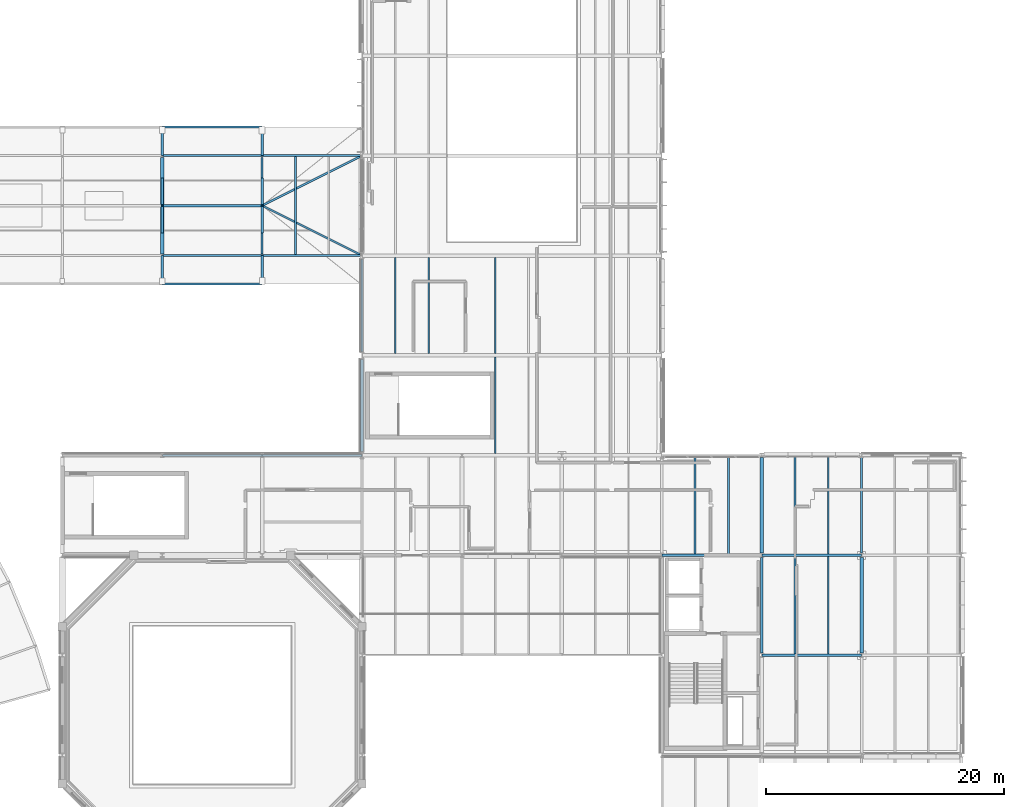
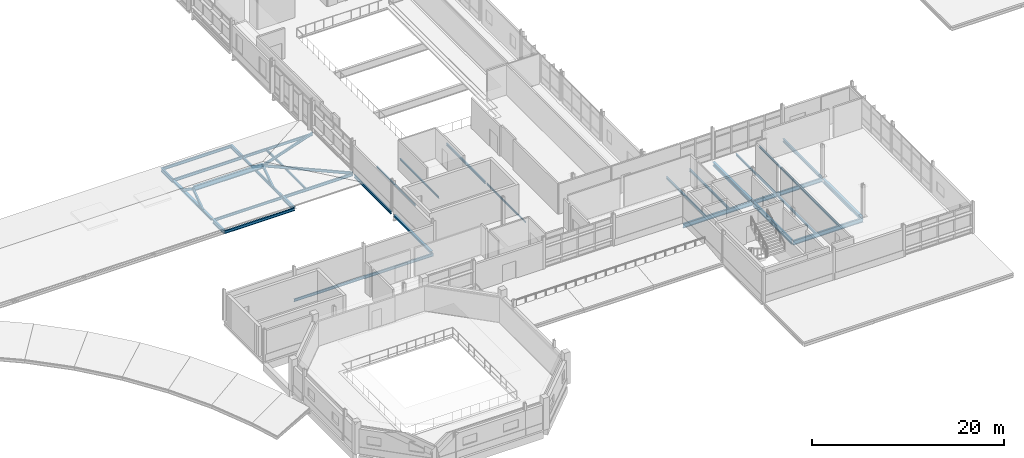
# One storey, part 24 of 151: 35 beams, 6 members.
"""IFC4 building model written with IfcOpenShell, lengths in metres."""

from ifc_helpers import new_model, si_unit, direction, frame, origin, origin_2d, place, context, subcontext, project, spatial, hollow_rectangle, i_section, extrude, material, material_profile, profile_set, type_object, element, save


model = new_model("IFC4")

# Units and contexts
model_context = context("Model", 3, precision=1e-05, world=origin(), true_north=direction((0.0, 1.0)))
body_context = subcontext(model_context, "Body", "Model", "MODEL_VIEW")
ifc_project = project(units=[si_unit("LENGTHUNIT", "METRE"), si_unit("AREAUNIT", "SQUARE_METRE"), si_unit("VOLUMEUNIT", "CUBIC_METRE"), si_unit("PLANEANGLEUNIT", "RADIAN"), si_unit("MASSUNIT", "GRAM", prefix="KILO")], contexts=[model_context])

# Site, building, storey
site_placement = place(None, origin())
site = spatial("IfcSite", under=ifc_project, at=site_placement, CompositionType="ELEMENT")
building_placement = place(site_placement, origin())
building = spatial("IfcBuilding", under=site, at=building_placement, Name="Mersafa Astral City Hall", CompositionType="ELEMENT")
storey_placement = place(building_placement, frame((0.0, 0.0, 9.89990234375)))
storey = spatial("IfcBuildingStorey", under=building, at=storey_placement, Name="L02", CompositionType="ELEMENT", Elevation=9.89990234375)

# Beams
ifc_material = material(Name="Steel S355", Category="steel")
ifc_material_profile_1 = material_profile(ifc_material, i_section(OverallWidth=0.300048828125, OverallDepth=0.489990234375, WebThickness=0.011962890625, FlangeThickness=0.02294921875, FilletRadius=0.027099609375, at=origin_2d()), Name="HEA 500")
ifc_profile_set_1 = profile_set([ifc_material_profile_1], Name="Steel S355")
beam_type_1 = type_object("IfcBeamType", Name="STR-BM-HEA500", PredefinedType="BEAM", material=ifc_profile_set_1)
beam_1_placement = place(storey_placement, frame((126.0, 25.39501953125, -0.44482421875), z_axis=(0.0, 1.0, 0.0), x_axis=(-1.0, 0.0, 0.0)))
element("IfcBeam", 1, at=beam_1_placement, inside=storey, type_object=beam_type_1, Name="L02 Primary girder Y 15-3", PredefinedType="BEAM", context=body_context, shape_type="SweptSolid", body=[
    extrude(i_section(OverallWidth=0.300048828125, OverallDepth=0.489990234375, WebThickness=0.011962890625, FlangeThickness=0.02294921875, FilletRadius=0.027099609375, at=origin_2d()), origin(), (0.0, 0.0, 1.0), 8.010009765625),
])
beam_2_placement = place(storey_placement, frame((134.39990234375, 16.9951171875, -0.44482421875), z_axis=(0.0, 1.0, 0.0), x_axis=(-1.0, 0.0, 0.0)))
element("IfcBeam", 2, at=beam_2_placement, inside=storey, type_object=beam_type_1, Name="L02 Primary girder Y 16-2", PredefinedType="BEAM", context=body_context, shape_type="SweptSolid", body=[
    extrude(i_section(OverallWidth=0.300048828125, OverallDepth=0.489990234375, WebThickness=0.011962890625, FlangeThickness=0.02294921875, FilletRadius=0.027099609375, at=origin_2d()), origin(), (0.0, 0.0, 1.0), 8.009765625),
])
ifc_material_profile_2 = material_profile(ifc_material, i_section(OverallWidth=0.179931640625, OverallDepth=0.39990234375, WebThickness=0.008544921875, FlangeThickness=0.013427734375, FilletRadius=0.02099609375, at=origin_2d()), Name="IPE 400")
ifc_profile_set_2 = profile_set([ifc_material_profile_2], Name="Steel S355")
beam_type_2 = type_object("IfcBeamType", Name="STR-BM-IPE400", PredefinedType="BEAM", material=ifc_profile_set_2)
beam_3_placement = place(storey_placement, frame((134.39990234375, 25.39501953125, -0.39990234375), z_axis=(0.0, 1.0, 0.0), x_axis=(-1.0, 0.0, 0.0)))
element("IfcBeam", 3, at=beam_3_placement, inside=storey, type_object=beam_type_2, Name="L02 Primary girder Y 16-3", PredefinedType="BEAM", context=body_context, shape_type="SweptSolid", body=[
    extrude(i_section(OverallWidth=0.179931640625, OverallDepth=0.39990234375, WebThickness=0.008544921875, FlangeThickness=0.013427734375, FilletRadius=0.02099609375, at=origin_2d()), origin(), (0.0, 0.0, 1.0), 8.010009765625),
])
ifc_material_profile_3 = material_profile(ifc_material, i_section(OverallWidth=0.199951171875, OverallDepth=0.5, WebThickness=0.01025390625, FlangeThickness=0.01611328125, FilletRadius=0.02099609375, at=origin_2d()), Name="IPE 500")
ifc_profile_set_3 = profile_set([ifc_material_profile_3], Name="Steel S355")
beam_type_3 = type_object("IfcBeamType", Name="STR-BM-IPE500", PredefinedType="BEAM", material=ifc_profile_set_3)
beam_4_placement = place(storey_placement, frame((126.0029296875, 25.199951171875, -0.449951171875), z_axis=(1.0, 0.0, 0.0), x_axis=(0.0, 1.0, 0.0)))
element("IfcBeam", 4, at=beam_4_placement, inside=storey, type_object=beam_type_3, Name="L02 Primary girder X 15-3", PredefinedType="BEAM", context=body_context, shape_type="SweptSolid", body=[
    extrude(i_section(OverallWidth=0.199951171875, OverallDepth=0.5, WebThickness=0.01025390625, FlangeThickness=0.01611328125, FilletRadius=0.02099609375, at=origin_2d()), origin(), (0.0, 0.0, 1.0), 8.39404296875),
])
for number, where, z_axis, x_axis, name in (
    (5, (75.60009765625, 50.39990234375, -0.409912109375), (0.0, -1.0, 0.0), (1.0, 0.0, 0.0), "L02 Cantilevered eave beam ROOF-T3-V4S S-9"),
    (6, (75.60009765625, 58.800048828125, -0.409912109375), (0.0, 1.0, 0.0), (-1.0, 0.0, 0.0), "L02 Cantilevered eave beam ROOF-T3-V4S N-9"),
    (7, (84.0, 50.39990234375, -0.409912109375), (0.0, -1.0, 0.0), (1.0, 0.0, 0.0), "L02 Cantilevered eave beam ROOF-T3-V4S S-10"),
    (8, (84.0, 58.800048828125, -0.409912109375), (0.0, 1.0, 0.0), (-1.0, 0.0, 0.0), "L02 Cantilevered eave beam ROOF-T3-V4S N-10"),
):
    element("IfcBeam", number, at=place(storey_placement, frame(where, z_axis=z_axis, x_axis=x_axis)), inside=storey, type_object=beam_type_3, Name=name, PredefinedType="BEAM", context=body_context, shape_type="SweptSolid", body=[
        extrude(i_section(OverallWidth=0.199951171875, OverallDepth=0.5, WebThickness=0.01025390625, FlangeThickness=0.01611328125, FilletRadius=0.02099609375, at=origin_2d()), origin(), (0.0, 0.0, 1.0), 2.39990234375),
    ])
ifc_material_profile_4 = material_profile(ifc_material, i_section(OverallWidth=0.2099609375, OverallDepth=0.550048828125, WebThickness=0.010986328125, FlangeThickness=0.01708984375, FilletRadius=0.02392578125, at=origin_2d()), Name="IPE 550")
ifc_profile_set_4 = profile_set([ifc_material_profile_4], Name="Steel S355")
beam_type_4 = type_object("IfcBeamType", Name="STR-BM-IPE550", PredefinedType="BEAM", material=ifc_profile_set_4)
for number, where, z_axis, x_axis, name in (
    (9, (126.0029296875, 16.800048828125, -0.474853515625), (1.0, 0.0, 0.0), (0.0, 1.0, 0.0), "L02 Primary girder X 15-2"),
    (10, (117.60302734375, 25.199951171875, -0.474853515625), (1.0, 0.0, 0.0), (0.0, 1.0, 0.0), "L02 Primary girder X 14-3"),
):
    element("IfcBeam", number, at=place(storey_placement, frame(where, z_axis=z_axis, x_axis=x_axis)), inside=storey, type_object=beam_type_4, Name=name, PredefinedType="BEAM", context=body_context, shape_type="SweptSolid", body=[
        extrude(i_section(OverallWidth=0.2099609375, OverallDepth=0.550048828125, WebThickness=0.010986328125, FlangeThickness=0.01708984375, FilletRadius=0.02392578125, at=origin_2d()), origin(), (0.0, 0.0, 1.0), 8.39404296875),
    ])
ifc_material_profile_5 = material_profile(ifc_material, i_section(OverallWidth=0.219970703125, OverallDepth=0.60009765625, WebThickness=0.011962890625, FlangeThickness=0.01904296875, FilletRadius=0.02392578125, at=origin_2d()), Name="IPE 600")
ifc_profile_set_5 = profile_set([ifc_material_profile_5], Name="Steel S355")
beam_type_5 = type_object("IfcBeamType", Name="STR-BM-IPE600", PredefinedType="BEAM", material=ifc_profile_set_5)
beam_5_placement = place(storey_placement, frame((126.0, 16.9951171875, -0.5), z_axis=(0.0, 1.0, 0.0), x_axis=(-1.0, 0.0, 0.0)))
element("IfcBeam", 11, at=beam_5_placement, inside=storey, type_object=beam_type_5, Name="L02 Primary girder Y 15-2", PredefinedType="BEAM", context=body_context, shape_type="SweptSolid", body=[
    extrude(i_section(OverallWidth=0.219970703125, OverallDepth=0.60009765625, WebThickness=0.011962890625, FlangeThickness=0.01904296875, FilletRadius=0.02392578125, at=origin_2d()), origin(), (0.0, 0.0, 1.0), 8.009765625),
])
beam_6_placement = place(storey_placement, frame((75.60009765625, 54.60009765625, 1.114501953125), z_axis=(1.0, 0.0, 0.0), x_axis=(0.0, 1.0, 0.0)))
element("IfcBeam", 12, at=beam_6_placement, inside=storey, type_object=beam_type_5, Name="L02 Hipped roof ridge beam ROOF-T3-V4S-4", PredefinedType="BEAM", context=body_context, shape_type="SweptSolid", body=[
    extrude(i_section(OverallWidth=0.219970703125, OverallDepth=0.60009765625, WebThickness=0.011962890625, FlangeThickness=0.01904296875, FilletRadius=0.02392578125, at=origin_2d()), origin(), (0.0, 0.0, 1.0), 8.39990234375),
])
ifc_material_profile_6 = material_profile(ifc_material, i_section(OverallWidth=0.110107421875, OverallDepth=0.219970703125, WebThickness=0.005859375, FlangeThickness=0.00927734375, FilletRadius=0.011962890625, at=origin_2d()), Name="IPE 220")
ifc_profile_set_6 = profile_set([ifc_material_profile_6], Name="Steel S355")
beam_type_6 = type_object("IfcBeamType", Name="STR-BM-JOIST-IPE220", PredefinedType="JOIST", material=ifc_profile_set_6)
for number, where, z_axis, x_axis, name in (
    (13, (95.199951171875, 42.14501953125, -0.309814453125), (0.0, 1.0, 0.0), (-1.0, 0.0, 0.0), "L02 Composite secondary floor joist 438"),
    (14, (98.0, 42.14501953125, -0.309814453125), (0.0, 1.0, 0.0), (-1.0, 0.0, 0.0), "L02 Composite secondary floor joist 439"),
    (15, (103.60009765625, 33.7451171875, -0.309814453125), (0.0, 1.0, 0.0), (-1.0, 0.0, 0.0), "L02 Composite secondary floor joist 454"),
):
    element("IfcBeam", number, at=place(storey_placement, frame(where, z_axis=z_axis, x_axis=x_axis)), inside=storey, type_object=beam_type_6, Name=name, PredefinedType="JOIST", context=body_context, shape_type="SweptSolid", body=[
        extrude(i_section(OverallWidth=0.110107421875, OverallDepth=0.219970703125, WebThickness=0.005859375, FlangeThickness=0.00927734375, FilletRadius=0.011962890625, at=origin_2d()), origin(), (0.0, 0.0, 1.0), 8.10986328125),
    ])
ifc_material_profile_7 = material_profile(ifc_material, i_section(OverallWidth=0.135009765625, OverallDepth=0.27001953125, WebThickness=0.006591796875, FlangeThickness=0.01025390625, FilletRadius=0.014892578125, at=origin_2d()), Name="IPE 270")
ifc_profile_set_7 = profile_set([ifc_material_profile_7], Name="Steel S355")
beam_type_7 = type_object("IfcBeamType", Name="STR-BM-JOIST-IPE270", PredefinedType="JOIST", material=ifc_profile_set_7)
for number, where, z_axis, x_axis, name in (
    (16, (128.800048828125, 25.294921875, -0.3349609375), (0.0, 1.0, 0.0), (-1.0, 0.0, 0.0), "L02 Composite secondary floor joist 502"),
    (17, (131.60009765625, 25.294921875, -0.3349609375), (0.0, 1.0, 0.0), (-1.0, 0.0, 0.0), "L02 Composite secondary floor joist 503"),
):
    element("IfcBeam", number, at=place(storey_placement, frame(where, z_axis=z_axis, x_axis=x_axis)), inside=storey, type_object=beam_type_7, Name=name, PredefinedType="JOIST", context=body_context, shape_type="SweptSolid", body=[
        extrude(i_section(OverallWidth=0.135009765625, OverallDepth=0.27001953125, WebThickness=0.006591796875, FlangeThickness=0.01025390625, FilletRadius=0.014892578125, at=origin_2d()), origin(), (0.0, 0.0, 1.0), 8.22998046875),
    ])
beam_7_placement = place(storey_placement, frame((86.800048828125, 50.47998046875, -0.3349609375), z_axis=(0.0, 1.0, 0.0), x_axis=(-1.0, 0.0, 0.0)))
element("IfcBeam", 18, at=beam_7_placement, inside=storey, type_object=beam_type_7, Name="L02 Flat roof secondary joist 5", PredefinedType="JOIST", context=body_context, shape_type="SweptSolid", body=[
    extrude(i_section(OverallWidth=0.135009765625, OverallDepth=0.27001953125, WebThickness=0.006591796875, FlangeThickness=0.01025390625, FilletRadius=0.014892578125, at=origin_2d()), origin(), (0.0, 0.0, 1.0), 8.2451171875),
])
ifc_material_profile_8 = material_profile(ifc_material, i_section(OverallWidth=0.14990234375, OverallDepth=0.300048828125, WebThickness=0.007080078125, FlangeThickness=0.0107421875, FilletRadius=0.014892578125, at=origin_2d()), Name="IPE 300")
ifc_profile_set_8 = profile_set([ifc_material_profile_8], Name="Steel S355")
beam_type_8 = type_object("IfcBeamType", Name="STR-BM-JOIST-IPE300", PredefinedType="JOIST", material=ifc_profile_set_8)
beam_8_placement = place(storey_placement, frame((103.60009765625, 42.14501953125, -0.349853515625), z_axis=(0.0, 1.0, 0.0), x_axis=(-1.0, 0.0, 0.0)))
element("IfcBeam", 19, at=beam_8_placement, inside=storey, type_object=beam_type_8, Name="L02 Composite secondary floor joist 456", PredefinedType="JOIST", context=body_context, shape_type="SweptSolid", body=[
    extrude(i_section(OverallWidth=0.14990234375, OverallDepth=0.300048828125, WebThickness=0.007080078125, FlangeThickness=0.0107421875, FilletRadius=0.014892578125, at=origin_2d()), origin(), (0.0, 0.0, 1.0), 8.10986328125),
])
for number, where, z_axis, x_axis, name in (
    (20, (120.39990234375, 25.300048828125, -0.349853515625), (0.0, 1.0, 0.0), (-1.0, 0.0, 0.0), "L02 Composite secondary floor joist 494"),
    (21, (123.199951171875, 25.300048828125, -0.349853515625), (0.0, 1.0, 0.0), (-1.0, 0.0, 0.0), "L02 Composite secondary floor joist 495"),
):
    element("IfcBeam", number, at=place(storey_placement, frame(where, z_axis=z_axis, x_axis=x_axis)), inside=storey, type_object=beam_type_8, Name=name, PredefinedType="JOIST", context=body_context, shape_type="SweptSolid", body=[
        extrude(i_section(OverallWidth=0.14990234375, OverallDepth=0.300048828125, WebThickness=0.007080078125, FlangeThickness=0.0107421875, FilletRadius=0.014892578125, at=origin_2d()), origin(), (0.0, 0.0, 1.0), 8.219970703125),
    ])
for number, where, z_axis, x_axis, name in (
    (22, (128.800048828125, 16.89990234375, -0.349853515625), (0.0, 1.0, 0.0), (-1.0, 0.0, 0.0), "L02 Composite secondary floor joist 500"),
    (23, (131.60009765625, 16.89990234375, -0.349853515625), (0.0, 1.0, 0.0), (-1.0, 0.0, 0.0), "L02 Composite secondary floor joist 501"),
):
    element("IfcBeam", number, at=place(storey_placement, frame(where, z_axis=z_axis, x_axis=x_axis)), inside=storey, type_object=beam_type_8, Name=name, PredefinedType="JOIST", context=body_context, shape_type="SweptSolid", body=[
        extrude(i_section(OverallWidth=0.14990234375, OverallDepth=0.300048828125, WebThickness=0.007080078125, FlangeThickness=0.0107421875, FilletRadius=0.014892578125, at=origin_2d()), origin(), (0.0, 0.0, 1.0), 8.205078125),
    ])
ifc_material_profile_9 = material_profile(ifc_material, i_section(OverallWidth=0.280029296875, OverallDepth=0.27001953125, WebThickness=0.008056640625, FlangeThickness=0.012939453125, FilletRadius=0.02392578125, at=origin_2d()), Name="HEA 280")
ifc_profile_set_9 = profile_set([ifc_material_profile_9], Name="Steel S355")
beam_type_9 = type_object("IfcBeamType", Name="STR-BM-SPANDREL-HEA280", PredefinedType="SPANDREL", material=ifc_profile_set_9)
beam_9_placement = place(storey_placement, frame((75.60009765625, 50.544921875, -0.3349609375), z_axis=(0.0, 1.0, 0.0), x_axis=(-1.0, 0.0, 0.0)))
element("IfcBeam", 24, at=beam_9_placement, inside=storey, type_object=beam_type_9, Name="L02 Primary girder Y 9-6", PredefinedType="SPANDREL", context=body_context, shape_type="SweptSolid", body=[
    extrude(i_section(OverallWidth=0.280029296875, OverallDepth=0.27001953125, WebThickness=0.008056640625, FlangeThickness=0.012939453125, FilletRadius=0.02392578125, at=origin_2d()), origin(), (0.0, 0.0, 1.0), 8.110107421875),
])
beam_10_placement = place(storey_placement, frame((92.39990234375, 33.919921875, -0.3349609375), z_axis=(0.0, 1.0, 0.0), x_axis=(-1.0, 0.0, 0.0)))
element("IfcBeam", 25, at=beam_10_placement, inside=storey, type_object=beam_type_9, Name="L02 Primary girder Y 11-4", PredefinedType="SPANDREL", context=body_context, shape_type="SweptSolid", body=[
    extrude(i_section(OverallWidth=0.280029296875, OverallDepth=0.27001953125, WebThickness=0.008056640625, FlangeThickness=0.012939453125, FilletRadius=0.02392578125, at=origin_2d()), origin(), (0.0, 0.0, 1.0), 7.760009765625),
])
ifc_material_profile_10 = material_profile(ifc_material, i_section(OverallWidth=0.159912109375, OverallDepth=0.330078125, WebThickness=0.007568359375, FlangeThickness=0.011474609375, FilletRadius=0.01806640625, at=origin_2d()), Name="IPE 330")
ifc_profile_set_10 = profile_set([ifc_material_profile_10], Name="Steel S355")
beam_type_10 = type_object("IfcBeamType", Name="STR-BM-SPANDREL-IPE330", PredefinedType="SPANDREL", material=ifc_profile_set_10)
for number, where, z_axis, x_axis, name in (
    (26, (75.60302734375, 33.60009765625, -0.364990234375), (1.0, 0.0, 0.0), (0.0, 1.0, 0.0), "L02 Primary girder X 9-4"),
    (27, (75.60302734375, 50.39990234375, -0.364990234375), (1.0, 0.0, 0.0), (0.0, 1.0, 0.0), "L02 Primary girder X 9-6"),
    (28, (84.0029296875, 58.800048828125, -0.364990234375), (1.0, 0.0, 0.0), (0.0, 1.0, 0.0), "L02 Primary girder X 10-7"),
):
    element("IfcBeam", number, at=place(storey_placement, frame(where, z_axis=z_axis, x_axis=x_axis)), inside=storey, type_object=beam_type_10, Name=name, PredefinedType="SPANDREL", context=body_context, shape_type="SweptSolid", body=[
        extrude(i_section(OverallWidth=0.159912109375, OverallDepth=0.330078125, WebThickness=0.007568359375, FlangeThickness=0.011474609375, FilletRadius=0.01806640625, at=origin_2d()), origin(), (0.0, 0.0, 1.0), 8.39404296875),
    ])
ifc_material_profile_11 = material_profile(ifc_material, i_section(OverallWidth=0.169921875, OverallDepth=0.360107421875, WebThickness=0.008056640625, FlangeThickness=0.0126953125, FilletRadius=0.01806640625, at=origin_2d()), Name="IPE 360")
ifc_profile_set_11 = profile_set([ifc_material_profile_11], Name="Steel S355")
beam_type_11 = type_object("IfcBeamType", Name="STR-BM-SPANDREL-IPE360", PredefinedType="SPANDREL", material=ifc_profile_set_11)
for number, where, z_axis, x_axis, name in (
    (29, (84.0029296875, 33.60009765625, -0.3798828125), (1.0, 0.0, 0.0), (0.0, 1.0, 0.0), "L02 Primary girder X 10-4"),
    (30, (84.0029296875, 50.39990234375, -0.3798828125), (1.0, 0.0, 0.0), (0.0, 1.0, 0.0), "L02 Primary girder X 10-6"),
    (31, (75.60302734375, 58.800048828125, -0.3798828125), (1.0, 0.0, 0.0), (0.0, 1.0, 0.0), "L02 Primary girder X 9-7"),
):
    element("IfcBeam", number, at=place(storey_placement, frame(where, z_axis=z_axis, x_axis=x_axis)), inside=storey, type_object=beam_type_11, Name=name, PredefinedType="SPANDREL", context=body_context, shape_type="SweptSolid", body=[
        extrude(i_section(OverallWidth=0.169921875, OverallDepth=0.360107421875, WebThickness=0.008056640625, FlangeThickness=0.0126953125, FilletRadius=0.01806640625, at=origin_2d()), origin(), (0.0, 0.0, 1.0), 8.39404296875),
    ])
beam_11_placement = place(storey_placement, frame((84.0, 50.544921875, -0.3798828125), z_axis=(0.0, 1.0, 0.0), x_axis=(-1.0, 0.0, 0.0)))
element("IfcBeam", 32, at=beam_11_placement, inside=storey, type_object=beam_type_11, Name="L02 Primary girder Y 10-6", PredefinedType="SPANDREL", context=body_context, shape_type="SweptSolid", body=[
    extrude(i_section(OverallWidth=0.169921875, OverallDepth=0.360107421875, WebThickness=0.008056640625, FlangeThickness=0.0126953125, FilletRadius=0.01806640625, at=origin_2d()), origin(), (0.0, 0.0, 1.0), 8.110107421875),
])
beam_12_placement = place(storey_placement, frame((92.39990234375, 42.320068359375, -0.3798828125), z_axis=(0.0, 1.0, 0.0), x_axis=(-1.0, 0.0, 0.0)))
element("IfcBeam", 33, at=beam_12_placement, inside=storey, type_object=beam_type_11, Name="L02 Primary girder Y 11-5", PredefinedType="SPANDREL", context=body_context, shape_type="SweptSolid", body=[
    extrude(i_section(OverallWidth=0.169921875, OverallDepth=0.360107421875, WebThickness=0.008056640625, FlangeThickness=0.0126953125, FilletRadius=0.01806640625, at=origin_2d()), origin(), (0.0, 0.0, 1.0), 7.760009765625),
])
for number, where, z_axis, x_axis, name in (
    (34, (75.60009765625, 48.0, -0.409912109375), (1.0, 0.0, 0.0), (0.0, 1.0, 0.0), "L02 Hipped roof eave fascia beam ROOF-T3-V4S S-5"),
    (35, (75.60009765625, 61.199951171875, -0.409912109375), (1.0, 0.0, 0.0), (0.0, 1.0, 0.0), "L02 Hipped roof eave fascia beam ROOF-T3-V4S N-5"),
):
    element("IfcBeam", number, at=place(storey_placement, frame(where, z_axis=z_axis, x_axis=x_axis)), inside=storey, type_object=beam_type_11, Name=name, PredefinedType="SPANDREL", context=body_context, shape_type="SweptSolid", body=[
        extrude(i_section(OverallWidth=0.169921875, OverallDepth=0.360107421875, WebThickness=0.008056640625, FlangeThickness=0.0126953125, FilletRadius=0.01806640625, at=origin_2d()), origin(), (0.0, 0.0, 1.0), 8.39990234375),
    ])

# Members
ifc_material_profile_12 = material_profile(ifc_material, i_section(OverallWidth=0.159912109375, OverallDepth=0.330078125, WebThickness=0.007568359375, FlangeThickness=0.011474609375, FilletRadius=0.01806640625, at=origin_2d()), Name="IPE 330")
ifc_profile_set_12 = profile_set([ifc_material_profile_12], Name="Steel S355")
member_type_1 = type_object("IfcMemberType", Name="STR-MBR-RAFTER-IPE330", PredefinedType="RAFTER", material=ifc_profile_set_12)
for number, where, z_axis, x_axis, name in (
    (36, (92.39990234375, 50.39990234375, -0.25), (-0.885123288192, 0.442587369937, 0.143781725795), (-0.447234392142, -0.894416792377, 0.0), "L02 Hipped roof corner hip rafter ROOF-T3-V4S-2"),
    (37, (92.39990234375, 58.800048828125, -0.25), (-0.885133366025, -0.442566683012, 0.143783362864), (0.4472135955, -0.894427191, 0.0), "L02 Hipped roof corner hip rafter ROOF-T3-V4S-3"),
):
    element("IfcMember", number, at=place(storey_placement, frame(where, z_axis=z_axis, x_axis=x_axis)), inside=storey, type_object=member_type_1, Name=name, PredefinedType="RAFTER", context=body_context, shape_type="SweptSolid", body=[
        extrude(i_section(OverallWidth=0.159912109375, OverallDepth=0.330078125, WebThickness=0.007568359375, FlangeThickness=0.011474609375, FilletRadius=0.01806640625, at=origin_2d()), origin(), (0.0, 0.0, 1.0), 9.489990234375),
    ])
ifc_material_profile_13 = material_profile(ifc_material, hollow_rectangle(XDim=0.199951171875, YDim=0.300048828125, WallThickness=0.012451171875, at=origin_2d()), Name="RHS 200x300x12.5")
ifc_profile_set_13 = profile_set([ifc_material_profile_13], Name="Steel S355")
member_type_2 = type_object("IfcMemberType", Name="STR-MBR-STRUT-RHS200X300", PredefinedType="BRACE", material=ifc_profile_set_13)
member_1_placement = place(storey_placement, frame((75.60009765625, 52.36572265625, -0.419921875), z_axis=(0.0, 0.824336158678, 0.566100607221), x_axis=(-1.0, 0.0, 0.0)))
element("IfcMember", 38, at=member_1_placement, inside=storey, type_object=member_type_2, Name="L02 Roof ridge raked A-strut ROOF-T3-V4S-4A", PredefinedType="BRACE", context=body_context, shape_type="SweptSolid", body=[
    extrude(hollow_rectangle(XDim=0.199951171875, YDim=0.300048828125, WallThickness=0.012451171875, at=origin_2d()), origin(), (0.0, 0.0, 1.0), 2.71044921875),
])
member_2_placement = place(storey_placement, frame((75.60009765625, 56.834228515625, -0.419921875), z_axis=(0.0, -0.824307290196, 0.566142642212), x_axis=(1.0, 0.0, 0.0)))
element("IfcMember", 39, at=member_2_placement, inside=storey, type_object=member_type_2, Name="L02 Roof ridge raked A-strut ROOF-T3-V4S-4B", PredefinedType="BRACE", context=body_context, shape_type="SweptSolid", body=[
    extrude(hollow_rectangle(XDim=0.199951171875, YDim=0.300048828125, WallThickness=0.012451171875, at=origin_2d()), origin(), (0.0, 0.0, 1.0), 2.710205078125),
])
member_3_placement = place(storey_placement, frame((84.0, 52.36572265625, -0.419921875), z_axis=(0.0, 0.824336158678, 0.566100607221), x_axis=(-1.0, 0.0, 0.0)))
element("IfcMember", 40, at=member_3_placement, inside=storey, type_object=member_type_2, Name="L02 Roof ridge raked A-strut ROOF-T3-V4S-5A", PredefinedType="BRACE", context=body_context, shape_type="SweptSolid", body=[
    extrude(hollow_rectangle(XDim=0.199951171875, YDim=0.300048828125, WallThickness=0.012451171875, at=origin_2d()), origin(), (0.0, 0.0, 1.0), 2.71044921875),
])
member_4_placement = place(storey_placement, frame((84.0, 56.834228515625, -0.419921875), z_axis=(0.0, -0.824307290196, 0.566142642212), x_axis=(1.0, 0.0, 0.0)))
element("IfcMember", 41, at=member_4_placement, inside=storey, type_object=member_type_2, Name="L02 Roof ridge raked A-strut ROOF-T3-V4S-5B", PredefinedType="BRACE", context=body_context, shape_type="SweptSolid", body=[
    extrude(hollow_rectangle(XDim=0.199951171875, YDim=0.300048828125, WallThickness=0.012451171875, at=origin_2d()), origin(), (0.0, 0.0, 1.0), 2.710205078125),
])

save(model, "model.ifc")
